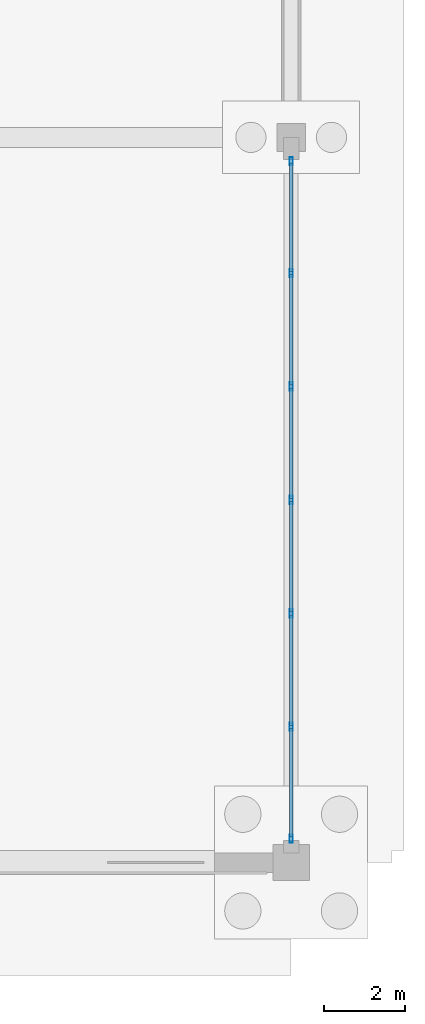
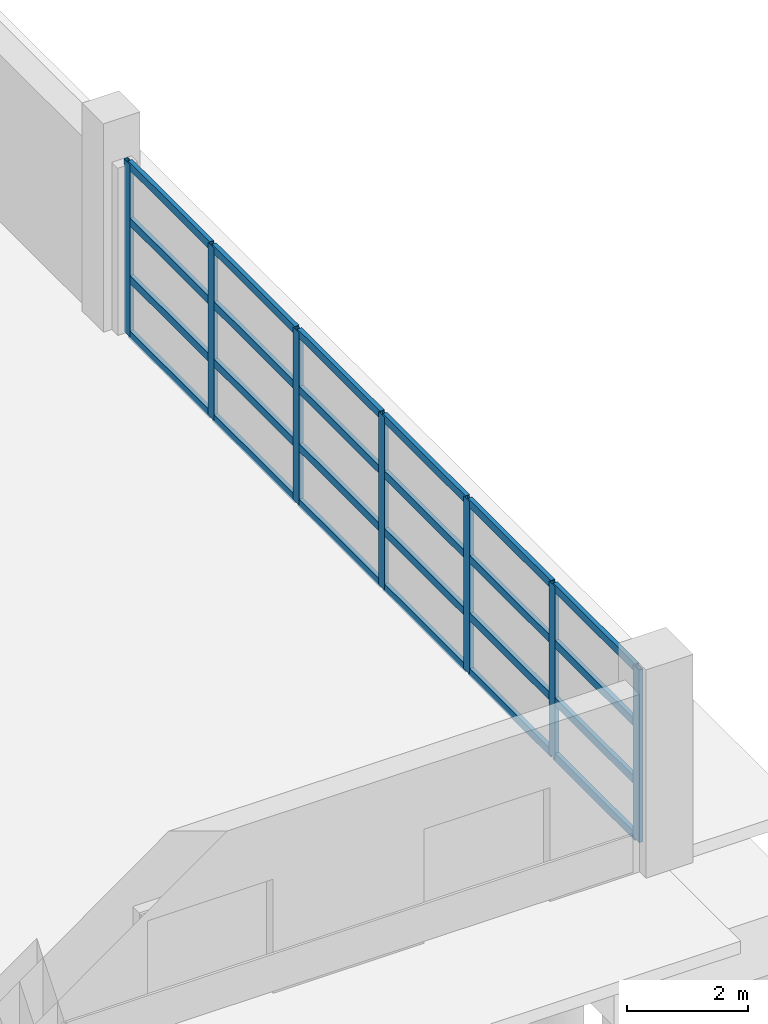
# One storey, part 40 of 77: 31 members, 1 element without a shape of its own.
"""IFC4 building model written with IfcOpenShell, lengths in metres."""

from ifc_helpers import new_model, si_unit, direction, frame, origin, origin_2d, place, context, subcontext, project, spatial, hollow_rectangle, extrude, material, layer, layer_set, material_profile, profile_set, type_object, element, aggregate, save


model = new_model("IFC4")

# Units and contexts
model_context = context("Model", 3, precision=1e-05, world=origin(), true_north=direction((0.0, 1.0)))
body_context = subcontext(model_context, "Body", "Model", "MODEL_VIEW")
ifc_project = project(units=[si_unit("LENGTHUNIT", "METRE"), si_unit("AREAUNIT", "SQUARE_METRE"), si_unit("VOLUMEUNIT", "CUBIC_METRE"), si_unit("PLANEANGLEUNIT", "RADIAN"), si_unit("MASSUNIT", "GRAM", prefix="KILO")], contexts=[model_context])

# Site, building, storey
site_placement = place(None, origin())
site = spatial("IfcSite", under=ifc_project, at=site_placement, CompositionType="ELEMENT")
building_placement = place(site_placement, origin())
building = spatial("IfcBuilding", under=site, at=building_placement, Name="Zilviju Railside Exhibition Hall", CompositionType="ELEMENT")
storey_placement = place(building_placement, origin())
storey = spatial("IfcBuildingStorey", under=building, at=storey_placement, Name="L01", CompositionType="ELEMENT", Elevation=0.0)

# Curtain wall, members
ifc_material_1 = material(Name="Thermally broken aluminium-steel triple-glazed curtain wall", Category="steel")
ifc_layer = layer(ifc_material_1, 0.179931640625)
ifc_layer_set = layer_set([ifc_layer], Name="Thermally broken aluminium-steel triple-glazed curtain wall")
curtain_wall_type = type_object("IfcCurtainWallType", Name="CW-BAY-04", PredefinedType="USERDEFINED", material=ifc_layer_set)
curtain_wall_placement = place(storey_placement, origin())
curtain_wall = element("IfcCurtainWall", 1, at=curtain_wall_placement, inside=storey, type_object=curtain_wall_type, Name="South Hall East Glazed Gable L01 (0..18)", ObjectType="GLAZED CURTAIN WALL", PredefinedType="USERDEFINED")
ifc_material_2 = material(Name="Thermally broken anodized aluminium mullion", Category="aluminium")
ifc_material_profile_1 = material_profile(ifc_material_2, hollow_rectangle(XDim=0.080078125, YDim=0.199951171875, WallThickness=0.0048828125, at=origin_2d()), Name="MULLION 200x80x5")
ifc_profile_set_1 = profile_set([ifc_material_profile_1], Name="Thermally broken anodized aluminium mullion")
member_type_1 = type_object("IfcMemberType", Name="CWM-80x200", PredefinedType="MULLION", material=ifc_profile_set_1)
member_1_placement = place(storey_placement, frame((216.0, 17.409912109375, 0.0), z_axis=(0.0, 0.0, 1.0), x_axis=(1.0, 0.0, 0.0)))
member_1 = element("IfcMember", 2, at=member_1_placement, type_object=member_type_1, Name="CW-04 mullion 1", PredefinedType="MULLION", context=body_context, shape_type="SweptSolid", body=[
    extrude(hollow_rectangle(XDim=0.080078125, YDim=0.199951171875, WallThickness=0.0048828125, at=origin_2d()), origin(), (0.0, 0.0, 1.0), 3.47998046875),
])
member_2_placement = place(storey_placement, frame((216.0, 14.63330078125, 0.0), z_axis=(0.0, 0.0, 1.0), x_axis=(1.0, 0.0, 0.0)))
member_2 = element("IfcMember", 3, at=member_2_placement, type_object=member_type_1, Name="CW-04 mullion 2", PredefinedType="MULLION", context=body_context, shape_type="SweptSolid", body=[
    extrude(hollow_rectangle(XDim=0.080078125, YDim=0.199951171875, WallThickness=0.0048828125, at=origin_2d()), origin(), (0.0, 0.0, 1.0), 3.47998046875),
])
member_3_placement = place(storey_placement, frame((216.0, 11.816650390625, 0.0), z_axis=(0.0, 0.0, 1.0), x_axis=(1.0, 0.0, 0.0)))
member_3 = element("IfcMember", 4, at=member_3_placement, type_object=member_type_1, Name="CW-04 mullion 3", PredefinedType="MULLION", context=body_context, shape_type="SweptSolid", body=[
    extrude(hollow_rectangle(XDim=0.080078125, YDim=0.199951171875, WallThickness=0.0048828125, at=origin_2d()), origin(), (0.0, 0.0, 1.0), 3.47998046875),
])
member_4_placement = place(storey_placement, frame((216.0, 9.0, 0.0), z_axis=(0.0, 0.0, 1.0), x_axis=(1.0, 0.0, 0.0)))
member_4 = element("IfcMember", 5, at=member_4_placement, type_object=member_type_1, Name="CW-04 mullion 4", PredefinedType="MULLION", context=body_context, shape_type="SweptSolid", body=[
    extrude(hollow_rectangle(XDim=0.080078125, YDim=0.199951171875, WallThickness=0.0048828125, at=origin_2d()), origin(), (0.0, 0.0, 1.0), 3.47998046875),
])
member_5_placement = place(storey_placement, frame((216.0, 6.183349609375, 0.0), z_axis=(0.0, 0.0, 1.0), x_axis=(1.0, 0.0, 0.0)))
member_5 = element("IfcMember", 6, at=member_5_placement, type_object=member_type_1, Name="CW-04 mullion 5", PredefinedType="MULLION", context=body_context, shape_type="SweptSolid", body=[
    extrude(hollow_rectangle(XDim=0.080078125, YDim=0.199951171875, WallThickness=0.0048828125, at=origin_2d()), origin(), (0.0, 0.0, 1.0), 3.47998046875),
])
member_6_placement = place(storey_placement, frame((216.0, 3.36669921875, 0.0), z_axis=(0.0, 0.0, 1.0), x_axis=(1.0, 0.0, 0.0)))
member_6 = element("IfcMember", 7, at=member_6_placement, type_object=member_type_1, Name="CW-04 mullion 6", PredefinedType="MULLION", context=body_context, shape_type="SweptSolid", body=[
    extrude(hollow_rectangle(XDim=0.080078125, YDim=0.199951171875, WallThickness=0.0048828125, at=origin_2d()), origin(), (0.0, 0.0, 1.0), 3.47998046875),
])
member_7_placement = place(storey_placement, frame((216.0, 0.590087890625, 0.0), z_axis=(0.0, 0.0, 1.0), x_axis=(1.0, 0.0, 0.0)))
member_7 = element("IfcMember", 8, at=member_7_placement, type_object=member_type_1, Name="CW-04 mullion 7", PredefinedType="MULLION", context=body_context, shape_type="SweptSolid", body=[
    extrude(hollow_rectangle(XDim=0.080078125, YDim=0.199951171875, WallThickness=0.0048828125, at=origin_2d()), origin(), (0.0, 0.0, 1.0), 3.47998046875),
])
ifc_material_3 = material(Name="Thermally broken anodized aluminium transom", Category="aluminium")
ifc_material_profile_2 = material_profile(ifc_material_3, hollow_rectangle(XDim=0.080078125, YDim=0.159912109375, WallThickness=0.0048828125, at=origin_2d()), Name="TRANSOM 160x80x5")
ifc_profile_set_2 = profile_set([ifc_material_profile_2], Name="Thermally broken anodized aluminium transom")
member_type_2 = type_object("IfcMemberType", Name="CWT-80x160", PredefinedType="USERDEFINED", material=ifc_profile_set_2)
member_8_placement = place(storey_placement, frame((216.0, 17.3701171875, 0.0400390625), z_axis=(0.0, -1.0, 0.0), x_axis=(1.0, 0.0, 0.0)))
member_8 = element("IfcMember", 9, at=member_8_placement, type_object=member_type_2, Name="CW-04 transom 1.1", ObjectType="TRANSOM", PredefinedType="USERDEFINED", context=body_context, shape_type="SweptSolid", body=[
    extrude(hollow_rectangle(XDim=0.080078125, YDim=0.159912109375, WallThickness=0.0048828125, at=origin_2d()), origin(), (0.0, 0.0, 1.0), 2.69677734375),
])
member_9_placement = place(storey_placement, frame((216.0, 17.3701171875, 1.159912109375), z_axis=(0.0, -1.0, 0.0), x_axis=(1.0, 0.0, 0.0)))
member_9 = element("IfcMember", 10, at=member_9_placement, type_object=member_type_2, Name="CW-04 transom 1.2", ObjectType="TRANSOM", PredefinedType="USERDEFINED", context=body_context, shape_type="SweptSolid", body=[
    extrude(hollow_rectangle(XDim=0.080078125, YDim=0.159912109375, WallThickness=0.0048828125, at=origin_2d()), origin(), (0.0, 0.0, 1.0), 2.69677734375),
])
member_10_placement = place(storey_placement, frame((216.0, 17.3701171875, 2.320068359375), z_axis=(0.0, -1.0, 0.0), x_axis=(1.0, 0.0, 0.0)))
member_10 = element("IfcMember", 11, at=member_10_placement, type_object=member_type_2, Name="CW-04 transom 1.3", ObjectType="TRANSOM", PredefinedType="USERDEFINED", context=body_context, shape_type="SweptSolid", body=[
    extrude(hollow_rectangle(XDim=0.080078125, YDim=0.159912109375, WallThickness=0.0048828125, at=origin_2d()), origin(), (0.0, 0.0, 1.0), 2.69677734375),
])
member_11_placement = place(storey_placement, frame((216.0, 17.3701171875, 3.43994140625), z_axis=(0.0, -1.0, 0.0), x_axis=(1.0, 0.0, 0.0)))
member_11 = element("IfcMember", 12, at=member_11_placement, type_object=member_type_2, Name="CW-04 transom 1.4", ObjectType="TRANSOM", PredefinedType="USERDEFINED", context=body_context, shape_type="SweptSolid", body=[
    extrude(hollow_rectangle(XDim=0.080078125, YDim=0.159912109375, WallThickness=0.0048828125, at=origin_2d()), origin(), (0.0, 0.0, 1.0), 2.69677734375),
])
member_12_placement = place(storey_placement, frame((216.0, 14.59326171875, 0.0400390625), z_axis=(0.0, -1.0, 0.0), x_axis=(1.0, 0.0, 0.0)))
member_12 = element("IfcMember", 13, at=member_12_placement, type_object=member_type_2, Name="CW-04 transom 2.1", ObjectType="TRANSOM", PredefinedType="USERDEFINED", context=body_context, shape_type="SweptSolid", body=[
    extrude(hollow_rectangle(XDim=0.080078125, YDim=0.159912109375, WallThickness=0.0048828125, at=origin_2d()), origin(), (0.0, 0.0, 1.0), 2.736572265625),
])
member_13_placement = place(storey_placement, frame((216.0, 14.59326171875, 1.159912109375), z_axis=(0.0, -1.0, 0.0), x_axis=(1.0, 0.0, 0.0)))
member_13 = element("IfcMember", 14, at=member_13_placement, type_object=member_type_2, Name="CW-04 transom 2.2", ObjectType="TRANSOM", PredefinedType="USERDEFINED", context=body_context, shape_type="SweptSolid", body=[
    extrude(hollow_rectangle(XDim=0.080078125, YDim=0.159912109375, WallThickness=0.0048828125, at=origin_2d()), origin(), (0.0, 0.0, 1.0), 2.736572265625),
])
member_14_placement = place(storey_placement, frame((216.0, 14.59326171875, 2.320068359375), z_axis=(0.0, -1.0, 0.0), x_axis=(1.0, 0.0, 0.0)))
member_14 = element("IfcMember", 15, at=member_14_placement, type_object=member_type_2, Name="CW-04 transom 2.3", ObjectType="TRANSOM", PredefinedType="USERDEFINED", context=body_context, shape_type="SweptSolid", body=[
    extrude(hollow_rectangle(XDim=0.080078125, YDim=0.159912109375, WallThickness=0.0048828125, at=origin_2d()), origin(), (0.0, 0.0, 1.0), 2.736572265625),
])
member_15_placement = place(storey_placement, frame((216.0, 14.59326171875, 3.43994140625), z_axis=(0.0, -1.0, 0.0), x_axis=(1.0, 0.0, 0.0)))
member_15 = element("IfcMember", 16, at=member_15_placement, type_object=member_type_2, Name="CW-04 transom 2.4", ObjectType="TRANSOM", PredefinedType="USERDEFINED", context=body_context, shape_type="SweptSolid", body=[
    extrude(hollow_rectangle(XDim=0.080078125, YDim=0.159912109375, WallThickness=0.0048828125, at=origin_2d()), origin(), (0.0, 0.0, 1.0), 2.736572265625),
])
member_16_placement = place(storey_placement, frame((216.0, 11.776611328125, 0.0400390625), z_axis=(0.0, -1.0, 0.0), x_axis=(1.0, 0.0, 0.0)))
member_16 = element("IfcMember", 17, at=member_16_placement, type_object=member_type_2, Name="CW-04 transom 3.1", ObjectType="TRANSOM", PredefinedType="USERDEFINED", context=body_context, shape_type="SweptSolid", body=[
    extrude(hollow_rectangle(XDim=0.080078125, YDim=0.159912109375, WallThickness=0.0048828125, at=origin_2d()), origin(), (0.0, 0.0, 1.0), 2.736572265625),
])
member_17_placement = place(storey_placement, frame((216.0, 11.776611328125, 1.159912109375), z_axis=(0.0, -1.0, 0.0), x_axis=(1.0, 0.0, 0.0)))
member_17 = element("IfcMember", 18, at=member_17_placement, type_object=member_type_2, Name="CW-04 transom 3.2", ObjectType="TRANSOM", PredefinedType="USERDEFINED", context=body_context, shape_type="SweptSolid", body=[
    extrude(hollow_rectangle(XDim=0.080078125, YDim=0.159912109375, WallThickness=0.0048828125, at=origin_2d()), origin(), (0.0, 0.0, 1.0), 2.736572265625),
])
member_18_placement = place(storey_placement, frame((216.0, 11.776611328125, 2.320068359375), z_axis=(0.0, -1.0, 0.0), x_axis=(1.0, 0.0, 0.0)))
member_18 = element("IfcMember", 19, at=member_18_placement, type_object=member_type_2, Name="CW-04 transom 3.3", ObjectType="TRANSOM", PredefinedType="USERDEFINED", context=body_context, shape_type="SweptSolid", body=[
    extrude(hollow_rectangle(XDim=0.080078125, YDim=0.159912109375, WallThickness=0.0048828125, at=origin_2d()), origin(), (0.0, 0.0, 1.0), 2.736572265625),
])
member_19_placement = place(storey_placement, frame((216.0, 11.776611328125, 3.43994140625), z_axis=(0.0, -1.0, 0.0), x_axis=(1.0, 0.0, 0.0)))
member_19 = element("IfcMember", 20, at=member_19_placement, type_object=member_type_2, Name="CW-04 transom 3.4", ObjectType="TRANSOM", PredefinedType="USERDEFINED", context=body_context, shape_type="SweptSolid", body=[
    extrude(hollow_rectangle(XDim=0.080078125, YDim=0.159912109375, WallThickness=0.0048828125, at=origin_2d()), origin(), (0.0, 0.0, 1.0), 2.736572265625),
])
member_20_placement = place(storey_placement, frame((216.0, 8.9599609375, 0.0400390625), z_axis=(0.0, -1.0, 0.0), x_axis=(1.0, 0.0, 0.0)))
member_20 = element("IfcMember", 21, at=member_20_placement, type_object=member_type_2, Name="CW-04 transom 4.1", ObjectType="TRANSOM", PredefinedType="USERDEFINED", context=body_context, shape_type="SweptSolid", body=[
    extrude(hollow_rectangle(XDim=0.080078125, YDim=0.159912109375, WallThickness=0.0048828125, at=origin_2d()), origin(), (0.0, 0.0, 1.0), 2.736572265625),
])
member_21_placement = place(storey_placement, frame((216.0, 8.9599609375, 1.159912109375), z_axis=(0.0, -1.0, 0.0), x_axis=(1.0, 0.0, 0.0)))
member_21 = element("IfcMember", 22, at=member_21_placement, type_object=member_type_2, Name="CW-04 transom 4.2", ObjectType="TRANSOM", PredefinedType="USERDEFINED", context=body_context, shape_type="SweptSolid", body=[
    extrude(hollow_rectangle(XDim=0.080078125, YDim=0.159912109375, WallThickness=0.0048828125, at=origin_2d()), origin(), (0.0, 0.0, 1.0), 2.736572265625),
])
member_22_placement = place(storey_placement, frame((216.0, 8.9599609375, 2.320068359375), z_axis=(0.0, -1.0, 0.0), x_axis=(1.0, 0.0, 0.0)))
member_22 = element("IfcMember", 23, at=member_22_placement, type_object=member_type_2, Name="CW-04 transom 4.3", ObjectType="TRANSOM", PredefinedType="USERDEFINED", context=body_context, shape_type="SweptSolid", body=[
    extrude(hollow_rectangle(XDim=0.080078125, YDim=0.159912109375, WallThickness=0.0048828125, at=origin_2d()), origin(), (0.0, 0.0, 1.0), 2.736572265625),
])
member_23_placement = place(storey_placement, frame((216.0, 8.9599609375, 3.43994140625), z_axis=(0.0, -1.0, 0.0), x_axis=(1.0, 0.0, 0.0)))
member_23 = element("IfcMember", 24, at=member_23_placement, type_object=member_type_2, Name="CW-04 transom 4.4", ObjectType="TRANSOM", PredefinedType="USERDEFINED", context=body_context, shape_type="SweptSolid", body=[
    extrude(hollow_rectangle(XDim=0.080078125, YDim=0.159912109375, WallThickness=0.0048828125, at=origin_2d()), origin(), (0.0, 0.0, 1.0), 2.736572265625),
])
member_24_placement = place(storey_placement, frame((216.0, 6.143310546875, 0.0400390625), z_axis=(0.0, -1.0, 0.0), x_axis=(1.0, 0.0, 0.0)))
member_24 = element("IfcMember", 25, at=member_24_placement, type_object=member_type_2, Name="CW-04 transom 5.1", ObjectType="TRANSOM", PredefinedType="USERDEFINED", context=body_context, shape_type="SweptSolid", body=[
    extrude(hollow_rectangle(XDim=0.080078125, YDim=0.159912109375, WallThickness=0.0048828125, at=origin_2d()), origin(), (0.0, 0.0, 1.0), 2.736572265625),
])
member_25_placement = place(storey_placement, frame((216.0, 6.143310546875, 1.159912109375), z_axis=(0.0, -1.0, 0.0), x_axis=(1.0, 0.0, 0.0)))
member_25 = element("IfcMember", 26, at=member_25_placement, type_object=member_type_2, Name="CW-04 transom 5.2", ObjectType="TRANSOM", PredefinedType="USERDEFINED", context=body_context, shape_type="SweptSolid", body=[
    extrude(hollow_rectangle(XDim=0.080078125, YDim=0.159912109375, WallThickness=0.0048828125, at=origin_2d()), origin(), (0.0, 0.0, 1.0), 2.736572265625),
])
member_26_placement = place(storey_placement, frame((216.0, 6.143310546875, 2.320068359375), z_axis=(0.0, -1.0, 0.0), x_axis=(1.0, 0.0, 0.0)))
member_26 = element("IfcMember", 27, at=member_26_placement, type_object=member_type_2, Name="CW-04 transom 5.3", ObjectType="TRANSOM", PredefinedType="USERDEFINED", context=body_context, shape_type="SweptSolid", body=[
    extrude(hollow_rectangle(XDim=0.080078125, YDim=0.159912109375, WallThickness=0.0048828125, at=origin_2d()), origin(), (0.0, 0.0, 1.0), 2.736572265625),
])
member_27_placement = place(storey_placement, frame((216.0, 6.143310546875, 3.43994140625), z_axis=(0.0, -1.0, 0.0), x_axis=(1.0, 0.0, 0.0)))
member_27 = element("IfcMember", 28, at=member_27_placement, type_object=member_type_2, Name="CW-04 transom 5.4", ObjectType="TRANSOM", PredefinedType="USERDEFINED", context=body_context, shape_type="SweptSolid", body=[
    extrude(hollow_rectangle(XDim=0.080078125, YDim=0.159912109375, WallThickness=0.0048828125, at=origin_2d()), origin(), (0.0, 0.0, 1.0), 2.736572265625),
])
member_28_placement = place(storey_placement, frame((216.0, 3.32666015625, 0.0400390625), z_axis=(0.0, -1.0, 0.0), x_axis=(1.0, 0.0, 0.0)))
member_28 = element("IfcMember", 29, at=member_28_placement, type_object=member_type_2, Name="CW-04 transom 6.1", ObjectType="TRANSOM", PredefinedType="USERDEFINED", context=body_context, shape_type="SweptSolid", body=[
    extrude(hollow_rectangle(XDim=0.080078125, YDim=0.159912109375, WallThickness=0.0048828125, at=origin_2d()), origin(), (0.0, 0.0, 1.0), 2.69677734375),
])
member_29_placement = place(storey_placement, frame((216.0, 3.32666015625, 1.159912109375), z_axis=(0.0, -1.0, 0.0), x_axis=(1.0, 0.0, 0.0)))
member_29 = element("IfcMember", 30, at=member_29_placement, type_object=member_type_2, Name="CW-04 transom 6.2", ObjectType="TRANSOM", PredefinedType="USERDEFINED", context=body_context, shape_type="SweptSolid", body=[
    extrude(hollow_rectangle(XDim=0.080078125, YDim=0.159912109375, WallThickness=0.0048828125, at=origin_2d()), origin(), (0.0, 0.0, 1.0), 2.69677734375),
])
member_30_placement = place(storey_placement, frame((216.0, 3.32666015625, 2.320068359375), z_axis=(0.0, -1.0, 0.0), x_axis=(1.0, 0.0, 0.0)))
member_30 = element("IfcMember", 31, at=member_30_placement, type_object=member_type_2, Name="CW-04 transom 6.3", ObjectType="TRANSOM", PredefinedType="USERDEFINED", context=body_context, shape_type="SweptSolid", body=[
    extrude(hollow_rectangle(XDim=0.080078125, YDim=0.159912109375, WallThickness=0.0048828125, at=origin_2d()), origin(), (0.0, 0.0, 1.0), 2.69677734375),
])
member_31_placement = place(storey_placement, frame((216.0, 3.32666015625, 3.43994140625), z_axis=(0.0, -1.0, 0.0), x_axis=(1.0, 0.0, 0.0)))
member_31 = element("IfcMember", 32, at=member_31_placement, type_object=member_type_2, Name="CW-04 transom 6.4", ObjectType="TRANSOM", PredefinedType="USERDEFINED", context=body_context, shape_type="SweptSolid", body=[
    extrude(hollow_rectangle(XDim=0.080078125, YDim=0.159912109375, WallThickness=0.0048828125, at=origin_2d()), origin(), (0.0, 0.0, 1.0), 2.69677734375),
])
aggregate(curtain_wall, [member_1, member_2, member_3, member_4, member_5, member_6, member_7, member_8, member_9, member_10, member_11, member_12, member_13, member_14, member_15, member_16, member_17, member_18, member_19, member_20, member_21, member_22, member_23, member_24, member_25, member_26, member_27, member_28, member_29, member_30, member_31])

save(model, "model.ifc")
